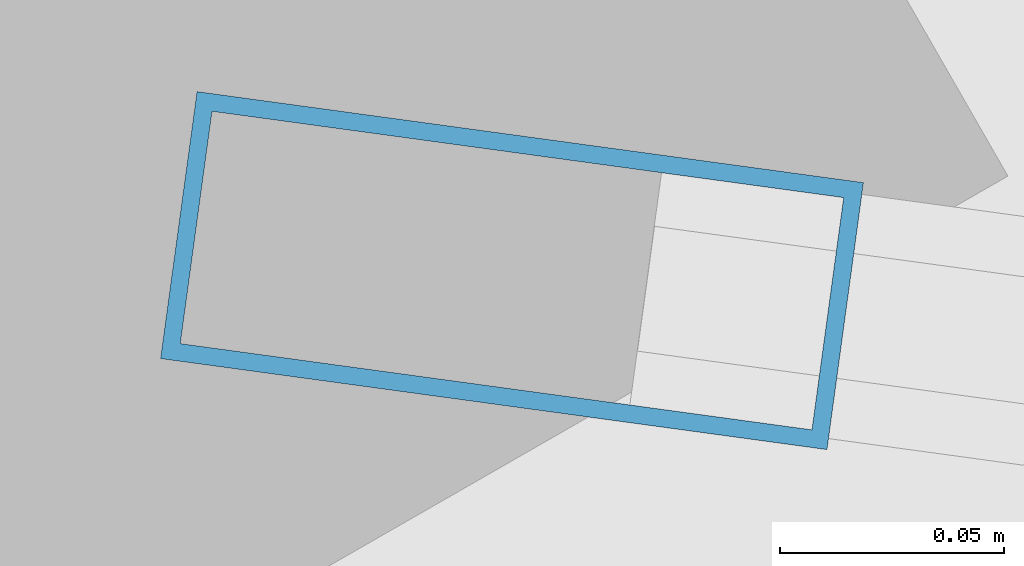
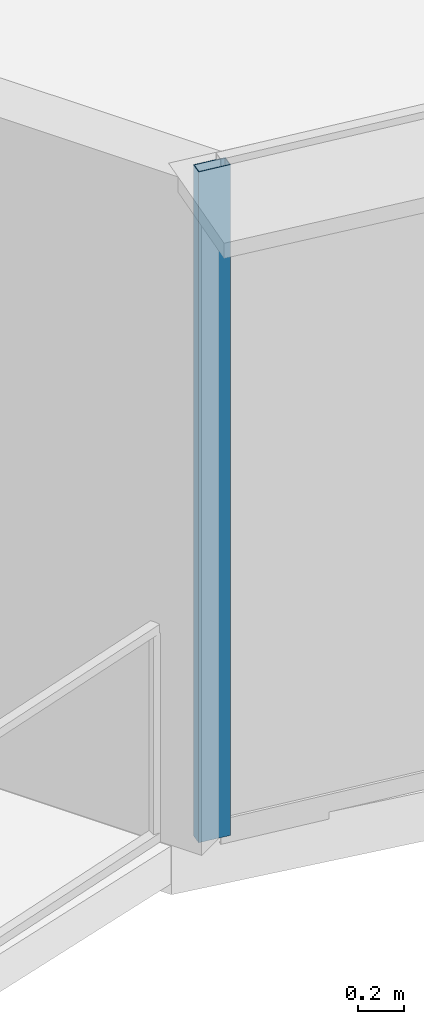
# One storey, part 2 of 37: 1 member, 1 element without a shape of its own.
"""IFC4 building model written with IfcOpenShell, lengths in metres."""

import ifcopenshell
import ifcopenshell.guid

model = None  # the IFC model being written
_history = None  # IfcOwnerHistory: only IFC2X3 demands one
_inside = {}  # id of a spatial element -> (the spatial element, [elements in it])
_under = {}  # id of a project, library or spatial element -> (it, [spatial elements below it])
_declared = {}  # id of a project -> (the project, [libraries it declares])
_typed = {}  # id of a type object -> (the type object, [elements of that type])
_made_of = {}  # id of a material, layer set ... -> (it, [elements and type objects made of it])


def new_model(schema):
    """Start an empty IFC model of exactly this schema.

    Asked for "IFC4X3", IfcOpenShell would pick the latest addendum, in which some entities
    have other attributes; the version numbers below select the first issue.
    IFC2X3 requires an IfcOwnerHistory on every rooted entity: one is made here for all.
    """
    global model, _history
    if schema == "IFC4X3":
        model = ifcopenshell.file(schema_version=(4, 3, 0, 0))
    else:
        model = ifcopenshell.file(schema=schema)
    _inside.clear()
    _under.clear()
    _declared.clear()
    _typed.clear()
    _made_of.clear()
    _history = None
    if model.schema == "IFC2X3":
        org = make("IfcOrganization", Name="unknown")
        user = make(
            "IfcPersonAndOrganization",
            ThePerson=make("IfcPerson", FamilyName="unknown"),
            TheOrganization=org,
        )
        app = make(
            "IfcApplication",
            ApplicationDeveloper=org,
            Version="unknown",
            ApplicationFullName="unknown",
            ApplicationIdentifier="unknown",
        )
        _history = make(
            "IfcOwnerHistory",
            OwningUser=user,
            OwningApplication=app,
            ChangeAction="ADDED",
            CreationDate=0,
        )
    return model


def make(cls, **values):
    """One entity of the class cls with the attributes given. An attribute that is None is left unset."""
    return model.create_entity(
        cls, **{name: value for name, value in values.items() if value is not None}
    )


def rooted(cls, **values):
    """An entity with a GlobalId (a new one), such as an element, a storey or a relation."""
    return make(cls, GlobalId=ifcopenshell.guid.new(), OwnerHistory=_history, **values)


def si_unit(unit_type, name, prefix=None):
    """IfcSIUnit, for example si_unit("LENGTHUNIT", "METRE", prefix="MILLI")."""
    return make("IfcSIUnit", UnitType=unit_type, Prefix=prefix, Name=name)


def assignment(units):
    """IfcUnitAssignment: the units of a project."""
    return None if units is None else make("IfcUnitAssignment", Units=units)


def point(xyz):
    """IfcCartesianPoint."""
    return None if xyz is None else make("IfcCartesianPoint", Coordinates=xyz)


def direction(xyz):
    """IfcDirection."""
    return None if xyz is None else make("IfcDirection", DirectionRatios=xyz)


def frame(location, z_axis=None, x_axis=None):
    """IfcAxis2Placement3D, a coordinate frame: its origin and axes. An axis left out is left unset."""
    return make(
        "IfcAxis2Placement3D",
        Location=point(location),
        Axis=direction(z_axis),
        RefDirection=direction(x_axis),
    )


def frame_2d(location, x_axis=None):
    """IfcAxis2Placement2D, a coordinate frame in the plane: its origin and x axis."""
    return make(
        "IfcAxis2Placement2D", Location=point(location), RefDirection=direction(x_axis)
    )


def origin():
    """The frame at (0, 0, 0) with its axes left unset."""
    return frame((0.0, 0.0, 0.0))


def origin_2d():
    """The frame at (0, 0) in the plane with its x axis left unset."""
    return frame_2d((0.0, 0.0))


def place(relative_to, where):
    """IfcLocalPlacement: puts the frame where relative to a parent placement (None: the world)."""
    return make(
        "IfcLocalPlacement", PlacementRelTo=relative_to, RelativePlacement=where
    )


def context(
    kind, dimensions, precision=None, world=None, true_north=None, identifier=None
):
    """IfcGeometricRepresentationContext, for example the 3D "Model" context."""
    return make(
        "IfcGeometricRepresentationContext",
        ContextIdentifier=identifier,
        ContextType=kind,
        CoordinateSpaceDimension=dimensions,
        Precision=precision,
        WorldCoordinateSystem=world,
        TrueNorth=true_north,
    )


def subcontext(parent, identifier, kind, view, scale=None):
    """IfcGeometricRepresentationSubContext, for example "Body" below "Model"."""
    return make(
        "IfcGeometricRepresentationSubContext",
        ContextIdentifier=identifier,
        ContextType=kind,
        ParentContext=parent,
        TargetScale=scale,
        TargetView=view,
    )


def project(units=None, contexts=None):
    """IfcProject with its units and contexts."""
    return rooted(
        "IfcProject",
        Name="project",
        RepresentationContexts=contexts,
        UnitsInContext=assignment(units),
    )


def spatial(cls, under=None, at=None, **own):
    """A site, building, storey or space (cls), placed at a placement, below another one or the project."""
    s = rooted(cls, ObjectPlacement=at, **own)
    if under is not None:
        _under.setdefault(under.id(), (under, []))[1].append(s)
    return s


def profile(cls, at=None, kind="AREA", **sizes):
    """A parametric profile (cls). Its sizes go by their IFC names, for example OverallWidth=200.0."""
    return make(cls, ProfileType=kind, Position=at, **sizes)


def hollow_rectangle(**sizes):
    """IfcRectangleHollowProfileDef."""
    return profile("IfcRectangleHollowProfileDef", **sizes)


def extrude(swept, where, along, depth):
    """IfcExtrudedAreaSolid: the profile swept, set in the frame where, extruded along a direction by depth."""
    return make(
        "IfcExtrudedAreaSolid",
        SweptArea=swept,
        Position=where,
        ExtrudedDirection=direction(along),
        Depth=depth,
    )


def shape(context_of_items, identifier, shape_type, items):
    """IfcShapeRepresentation: the items that make up one representation, for example the "Body"."""
    return make(
        "IfcShapeRepresentation",
        ContextOfItems=context_of_items,
        RepresentationIdentifier=identifier,
        RepresentationType=shape_type,
        Items=items,
    )


def source(mapping_origin, context_of_items, identifier, shape_type, items):
    """IfcRepresentationMap: a shape defined once, which mapped items show again and again."""
    return make(
        "IfcRepresentationMap",
        MappingOrigin=mapping_origin,
        MappedRepresentation=shape(context_of_items, identifier, shape_type, items),
    )


def transform(
    local_origin,
    x_axis=None,
    y_axis=None,
    z_axis=None,
    scale=None,
    scale2=None,
    scale3=None,
    uniform=True,
):
    """IfcCartesianTransformationOperator3D, or its non-uniform kind. x_axis, y_axis, z_axis: its Axis1, 2, 3."""
    if uniform:
        return make(
            "IfcCartesianTransformationOperator3D",
            Axis1=direction(x_axis),
            Axis2=direction(y_axis),
            LocalOrigin=point(local_origin),
            Scale=scale,
            Axis3=direction(z_axis),
        )
    return make(
        "IfcCartesianTransformationOperator3DnonUniform",
        Axis1=direction(x_axis),
        Axis2=direction(y_axis),
        LocalOrigin=point(local_origin),
        Scale=scale,
        Axis3=direction(z_axis),
        Scale2=scale2,
        Scale3=scale3,
    )


def mapped(mapping_source, mapping_target):
    """IfcMappedItem: shows the shape of a source again, moved by a transform."""
    return make(
        "IfcMappedItem", MappingSource=mapping_source, MappingTarget=mapping_target
    )


def material(Name=None, Category=None):
    """IfcMaterial."""
    return make("IfcMaterial", Name=Name, Category=Category)


def layer(
    of_material, thickness, ventilated=None, Name=None, Category=None, Priority=None
):
    """IfcMaterialLayer: one layer of a wall or slab, of a material (None: an air gap)."""
    return make(
        "IfcMaterialLayer",
        Material=of_material,
        LayerThickness=thickness,
        IsVentilated=ventilated,
        Name=Name,
        Category=Category,
        Priority=Priority,
    )


def layer_set(layers, Name=None):
    """IfcMaterialLayerSet."""
    return make("IfcMaterialLayerSet", MaterialLayers=layers, LayerSetName=Name)


def material_profile(
    of_material, cross_section, Name=None, Category=None, Priority=None
):
    """IfcMaterialProfile: a cross section and its material."""
    return make(
        "IfcMaterialProfile",
        Name=Name,
        Material=of_material,
        Profile=cross_section,
        Priority=Priority,
        Category=Category,
    )


def profile_set(profiles, Name=None, composite=None):
    """IfcMaterialProfileSet."""
    return make(
        "IfcMaterialProfileSet",
        Name=Name,
        MaterialProfiles=profiles,
        CompositeProfile=composite,
    )


def made_of(thing, what):
    """Note that an element or type object is made of a material, layer set ...; save() writes the relation."""
    if what is not None:
        _made_of.setdefault(what.id(), (what, []))[1].append(thing)
    return thing


def type_object(cls, material=None, **own):
    """A type object (cls), such as IfcWallType, which elements share."""
    return made_of(rooted(cls, **own), material)


def element(
    cls,
    number,
    at=None,
    inside=None,
    cuts=None,
    type_object=None,
    material=None,
    context=None,
    identifier="Body",
    shape_type=None,
    held_by="IfcProductDefinitionShape",
    body=None,
    shapes=None,
    **own,
):
    """One element of the class cls, such as IfcWall. Its Tag is "e" and its number.

    at: its placement. inside: the storey or other place that contains it. cuts: it is an
    opening in that element (IfcRelVoidsElement). A single representation is given by context,
    identifier, shape_type and body (its items); several are given by shapes. held_by: the class
    of the entity that holds the representations. save() writes the other relations.
    """
    e = rooted(cls, Tag="e%d" % number, ObjectPlacement=at, **own)
    if body is not None:
        shapes = [shape(context, identifier, shape_type, body)]
    if shapes is not None:
        e.Representation = make(held_by, Representations=shapes)
    if inside is not None:
        _inside.setdefault(inside.id(), (inside, []))[1].append(e)
    if cuts is not None:
        rooted(
            "IfcRelVoidsElement", RelatingBuildingElement=cuts, RelatedOpeningElement=e
        )
    if type_object is not None:
        _typed.setdefault(type_object.id(), (type_object, []))[1].append(e)
    return made_of(e, material)


def aggregate(whole, parts):
    """IfcRelAggregates: a whole, such as a stair, and the parts it consists of."""
    return rooted("IfcRelAggregates", RelatingObject=whole, RelatedObjects=parts)


def save(model, path):
    """Write the relations noted so far, then the file.

    IfcRelAggregates (storeys below a building ...), IfcRelContainedInSpatialStructure (elements
    in a storey), IfcRelDefinesByType, IfcRelAssociatesMaterial and IfcRelDeclares: one each for
    every whole, place, type object, material and project.
    """
    for whole, parts in _under.values():
        aggregate(whole, parts)
    for where, things in _inside.values():
        rooted(
            "IfcRelContainedInSpatialStructure",
            RelatedElements=things,
            RelatingStructure=where,
        )
    for kind, things in _typed.values():
        rooted("IfcRelDefinesByType", RelatedObjects=things, RelatingType=kind)
    for what, things in _made_of.values():
        rooted("IfcRelAssociatesMaterial", RelatedObjects=things, RelatingMaterial=what)
    for by, libraries in _declared.values():
        rooted("IfcRelDeclares", RelatingContext=by, RelatedDefinitions=libraries)
    model.write(path)


model = new_model("IFC4")

# Units and contexts
model_context = context("Model", 3, precision=1e-05, world=origin(), true_north=direction((0.0, 1.0)))
body_context = subcontext(model_context, "Body", "Model", "MODEL_VIEW")
ifc_project = project(units=[si_unit("LENGTHUNIT", "METRE"), si_unit("AREAUNIT", "SQUARE_METRE"), si_unit("VOLUMEUNIT", "CUBIC_METRE"), si_unit("PLANEANGLEUNIT", "RADIAN"), si_unit("MASSUNIT", "GRAM", prefix="KILO"), si_unit("THERMODYNAMICTEMPERATUREUNIT", "KELVIN"), si_unit("POWERUNIT", "WATT")], contexts=[model_context])

# Site, building, storey
site_placement = place(None, origin())
site = spatial("IfcSite", under=ifc_project, at=site_placement, CompositionType="ELEMENT")
building_placement = place(site_placement, origin())
building = spatial("IfcBuilding", under=site, at=building_placement, Name="Yunzhuo Pagoda Commons", CompositionType="ELEMENT")
storey_placement = place(building_placement, frame((0.0, 0.0, 192.360107421875)))
storey = spatial("IfcBuildingStorey", under=building, at=storey_placement, Name="L48", CompositionType="ELEMENT", Elevation=192.360107421875)

# Curtain wall, member
ifc_material = material(Name="Anodized aluminium 6063-T6", Category="aluminium")
ifc_layer = layer(ifc_material, 0.14990234375)
ifc_layer_set = layer_set([ifc_layer], Name="Anodized aluminium 6063-T6")
curtain_wall_type = type_object("IfcCurtainWallType", Name="CW-MID Mid-Zone Ribbon Curtain Wall", PredefinedType="NOTDEFINED", material=ifc_layer_set)
curtain_wall_placement = place(storey_placement, origin())
curtain_wall = element("IfcCurtainWall", 1, at=curtain_wall_placement, inside=storey, type_object=curtain_wall_type, Name="L48 curtain wall CW-L48-F1B1", PredefinedType="NOTDEFINED")
ifc_material_profile = material_profile(ifc_material, hollow_rectangle(XDim=0.06005859375, YDim=0.14990234375, WallThickness=0.00390625, at=origin_2d()), Name="Anodized aluminium 6063-T6")
ifc_profile_set = profile_set([ifc_material_profile], Name="Anodized aluminium 6063-T6")
member_type = type_object("IfcMemberType", Name="CW-MID-M Mullion RHS 150x60x4", PredefinedType="MULLION", material=ifc_profile_set)
shared_shape = source(origin(), body_context, "Body", "SweptSolid", [
    extrude(hollow_rectangle(XDim=0.06005859375, YDim=0.14990234375, WallThickness=0.00390625, at=origin_2d()), origin(), (0.0, 0.0, 1.0), 3.539794921875),
])
member_placement = place(storey_placement, frame((13.8623046875, 17.32861328125, 0.0), z_axis=(0.0, 0.0, 1.0), x_axis=(0.135312015534, 0.990803037163, 0.0)))
member = element("IfcMember", 2, at=member_placement, type_object=member_type, Name="CW mullion 1", PredefinedType="MULLION", context=body_context, shape_type="MappedRepresentation", body=[
    mapped(shared_shape, transform((0.0, 0.0, 0.0), scale=1.0)),
])
aggregate(curtain_wall, [member])

save(model, "model.ifc")
